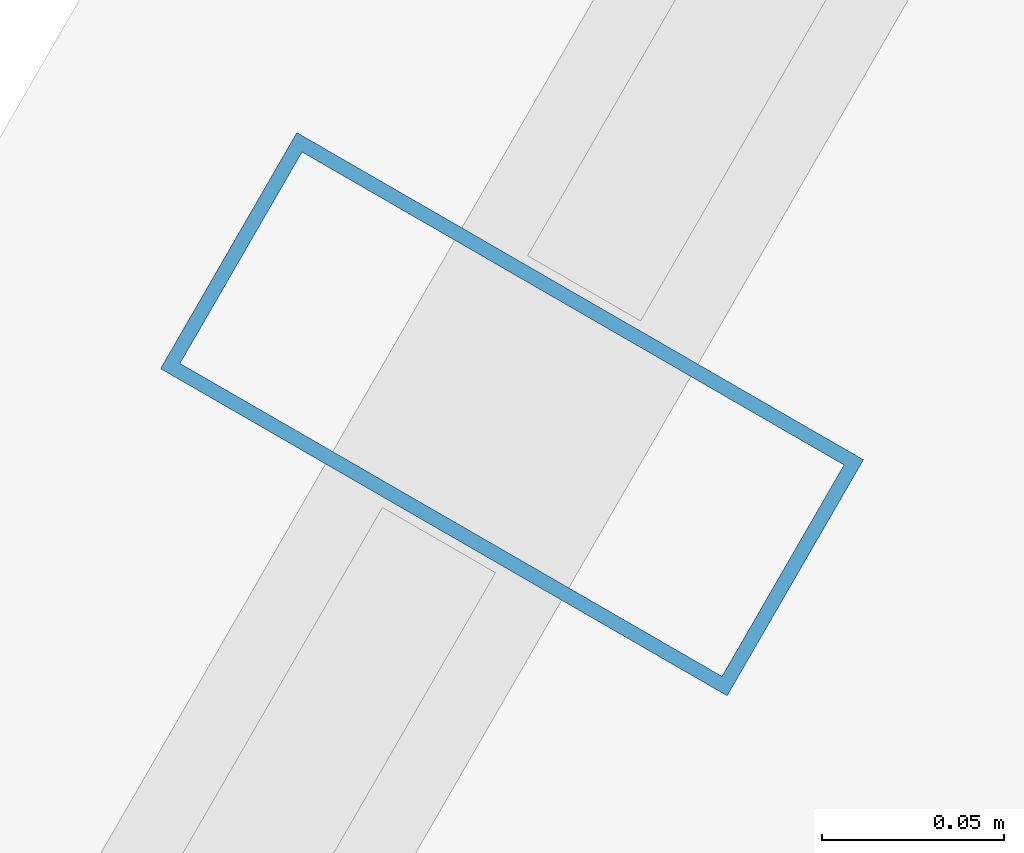
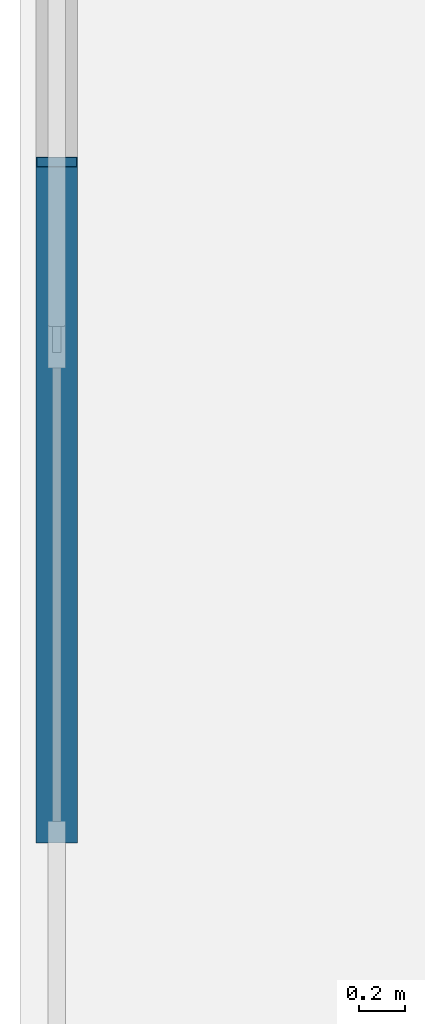
# One storey, part 13 of 31: 1 member, 1 element without a shape of its own.
"""IFC4 building model written with IfcOpenShell, lengths in metres."""

from ifc_helpers import new_model, si_unit, direction, frame, origin, origin_2d, place, context, subcontext, project, spatial, hollow_rectangle, extrude, material, layer, layer_set, material_profile, profile_set, type_object, element, aggregate, save


model = new_model("IFC4")

# Units and contexts
model_context = context("Model", 3, precision=1e-05, world=origin(), true_north=direction((0.0, 1.0)))
body_context = subcontext(model_context, "Body", "Model", "MODEL_VIEW")
ifc_project = project(units=[si_unit("LENGTHUNIT", "METRE"), si_unit("AREAUNIT", "SQUARE_METRE"), si_unit("VOLUMEUNIT", "CUBIC_METRE"), si_unit("PLANEANGLEUNIT", "RADIAN"), si_unit("MASSUNIT", "GRAM", prefix="KILO")], contexts=[model_context])

# Site, building, storey
site_placement = place(None, origin())
site = spatial("IfcSite", under=ifc_project, at=site_placement, CompositionType="ELEMENT")
building_placement = place(site_placement, origin())
building = spatial("IfcBuilding", under=site, at=building_placement, Name="Ndaravel Arena Tower", CompositionType="ELEMENT")
storey_placement = place(building_placement, frame((0.0, 0.0, 142.199951171875)))
storey = spatial("IfcBuildingStorey", under=building, at=storey_placement, Name="L33", CompositionType="ELEMENT", Elevation=142.199951171875)

# Curtain wall, member
ifc_material_1 = material(Name="Aluminium", Category="aluminium")
ifc_layer = layer(ifc_material_1, 0.179931640625)
ifc_layer_set = layer_set([ifc_layer], Name="Aluminium")
curtain_wall_type = type_object("IfcCurtainWallType", Name="CW-SYS-03", PredefinedType="NOTDEFINED", material=ifc_layer_set)
curtain_wall_placement = place(storey_placement, origin())
curtain_wall = element("IfcCurtainWall", 1, at=curtain_wall_placement, inside=storey, type_object=curtain_wall_type, Name="L33 Faceted Crystal Curtain Wall CW-L33-E05", PredefinedType="NOTDEFINED")
ifc_material_2 = material(Name="Aluminium", Category="aluminium")
ifc_material_profile = material_profile(ifc_material_2, hollow_rectangle(XDim=0.074951171875, YDim=0.179931640625, WallThickness=0.00390625, at=origin_2d()), Name="CW MULLION 75x180x4")
ifc_profile_set = profile_set([ifc_material_profile], Name="Aluminium")
member_type = type_object("IfcMemberType", Name="MEM-CW-MUL180", PredefinedType="MULLION", material=ifc_profile_set)
member_placement = place(storey_placement, frame((29.460693359375, 34.5693359375, 0.0), z_axis=(0.0, 0.0, 1.0), x_axis=(-0.5, -0.866025403784, 0.0)))
member = element("IfcMember", 2, at=member_placement, type_object=member_type, Name="CW-L33-E05 Mullion 03", PredefinedType="MULLION", context=body_context, shape_type="SweptSolid", body=[
    extrude(hollow_rectangle(XDim=0.074951171875, YDim=0.179931640625, WallThickness=0.00390625, at=origin_2d()), origin(), (0.0, 0.0, 1.0), 3.580078125),
])
aggregate(curtain_wall, [member])

save(model, "model.ifc")
